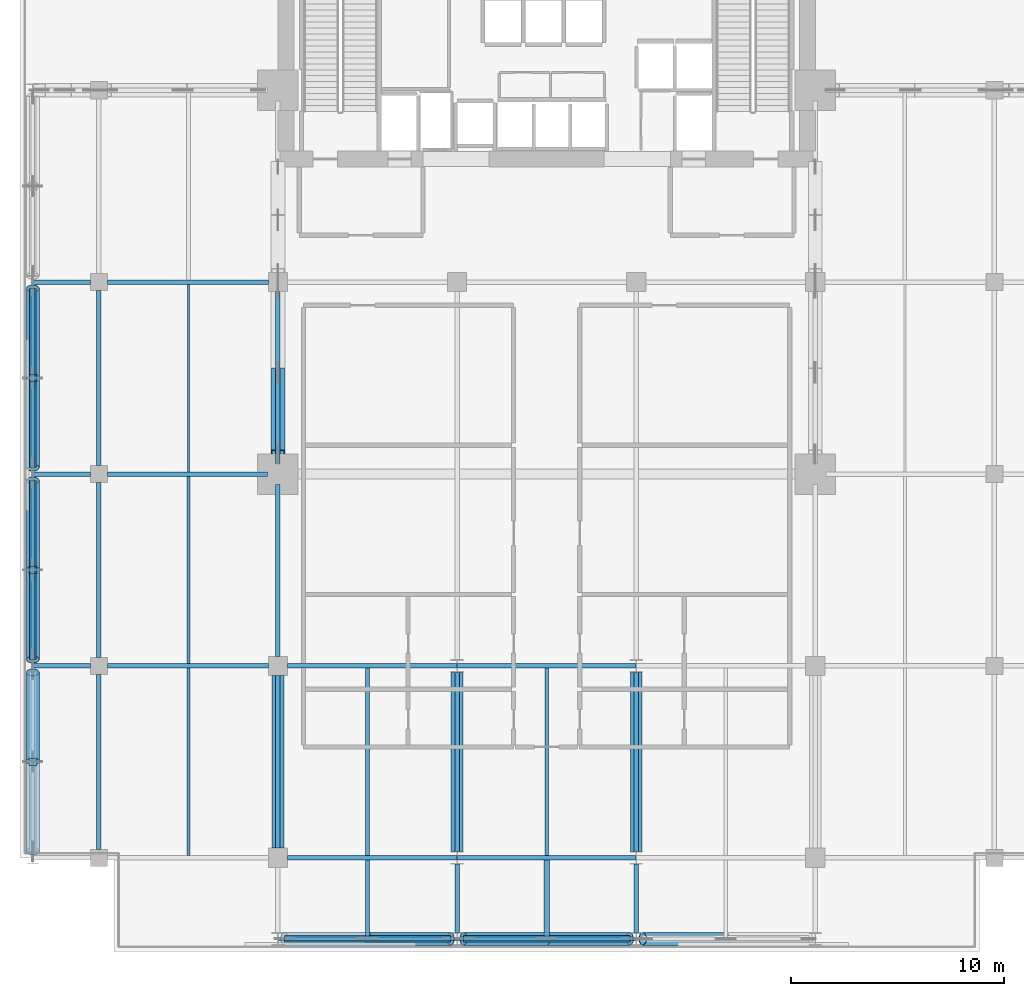
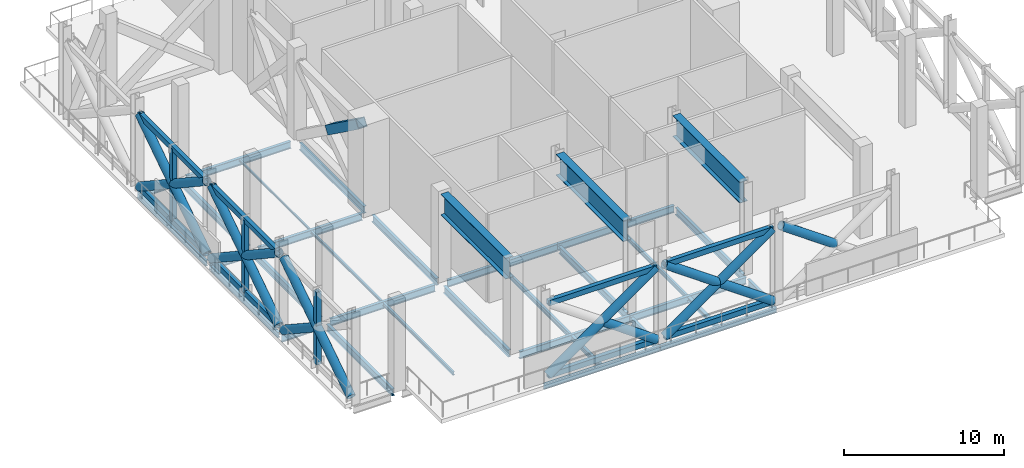
# One storey, part 2 of 14: 34 beams, 26 members.
"""IFC4 building model written with IfcOpenShell, lengths in metres."""

from ifc_helpers import new_model, si_unit, direction, frame, origin, origin_2d, place, context, subcontext, project, spatial, hollow_rectangle, hollow_circle, i_section, extrude, material, material_profile, profile_set, type_object, element, save


model = new_model("IFC4")

# Units and contexts
model_context = context("Model", 3, precision=1e-05, world=origin(), true_north=direction((0.0, 1.0)))
body_context = subcontext(model_context, "Body", "Model", "MODEL_VIEW")
ifc_project = project(units=[si_unit("LENGTHUNIT", "METRE"), si_unit("AREAUNIT", "SQUARE_METRE"), si_unit("VOLUMEUNIT", "CUBIC_METRE"), si_unit("PLANEANGLEUNIT", "RADIAN"), si_unit("MASSUNIT", "GRAM", prefix="KILO")], contexts=[model_context])

# Site, building, storey
site_placement = place(None, origin())
site = spatial("IfcSite", under=ifc_project, at=site_placement, CompositionType="ELEMENT")
building_placement = place(site_placement, origin())
building = spatial("IfcBuilding", under=site, at=building_placement, Name="Maruvema Waterfront Hotel and Observation Tower", CompositionType="ELEMENT")
storey_placement = place(building_placement, frame((0.0, 0.0, 227.5)))
storey = spatial("IfcBuildingStorey", under=building, at=storey_placement, Name="L56", CompositionType="ELEMENT", Elevation=227.5)

# Members
ifc_material_1 = material(Name="Steel ABNT NBR 7007 AR 415 (ASTM A572 Grade 50)", Category="steel")
ifc_material_profile_1 = material_profile(ifc_material_1, hollow_rectangle(XDim=0.64990234375, YDim=0.64990234375, WallThickness=0.035888671875, at=origin_2d()), Name="SHS650x650x36.0")
ifc_profile_set_1 = profile_set([ifc_material_profile_1], Name="Steel ABNT NBR 7007 AR 415 (ASTM A572 Grade 50)")
member_type_1 = type_object("IfcMemberType", Name="Outrigger Truss Diagonal SHS650x650x36.0", PredefinedType="BRACE", material=ifc_profile_set_1)
member_1_placement = place(storey_placement, frame((25.199951171875, 31.748779296875, 3.026611328125), z_axis=(0.0, -0.811146629148, 0.584842838737), x_axis=(1.0, 0.0, 0.0)))
element("IfcMember", 1, at=member_1_placement, inside=storey, type_object=member_type_1, Name="L56 Outrigger Truss Diagonal W1 Split Upper B2", PredefinedType="BRACE", context=body_context, shape_type="SweptSolid", body=[
    extrude(hollow_rectangle(XDim=0.64990234375, YDim=0.64990234375, WallThickness=0.035888671875, at=origin_2d()), origin(), (0.0, 0.0, 1.0), 4.7080078125),
])
ifc_material_2 = material(Name="Steel ABNT NBR 7007 AR 415 (ASTM A572 Grade 50)", Category="steel")
ifc_material_profile_2 = material_profile(ifc_material_2, hollow_rectangle(XDim=0.300048828125, YDim=0.39990234375, WallThickness=0.02001953125, at=origin_2d()), Name="RHS400x300x20.0")
ifc_profile_set_2 = profile_set([ifc_material_profile_2], Name="Steel ABNT NBR 7007 AR 415 (ASTM A572 Grade 50)")
member_type_2 = type_object("IfcMemberType", Name="Perimeter Belt Truss Chord RHS400x300x20.0", PredefinedType="CHORD", material=ifc_profile_set_2)
for number, where, z_axis, x_axis, name in (
    (2, (13.699951171875, 18.300048828125, 0.25), (0.0, 1.0, 0.0), (-1.0, 0.0, 0.0), "L56 Perimeter Belt Truss Chord W2"),
    (3, (13.699951171875, 18.300048828125, 5.780029296875), (0.0, 1.0, 0.0), (-1.0, 0.0, 0.0), "L56 Perimeter Belt Truss Top Chord W2"),
    (4, (13.699951171875, 27.300048828125, 0.25), (0.0, 1.0, 0.0), (-1.0, 0.0, 0.0), "L56 Perimeter Belt Truss Chord W3"),
    (5, (13.699951171875, 27.300048828125, 5.780029296875), (0.0, 1.0, 0.0), (-1.0, 0.0, 0.0), "L56 Perimeter Belt Truss Top Chord W3"),
):
    element("IfcMember", number, at=place(storey_placement, frame(where, z_axis=z_axis, x_axis=x_axis)), inside=storey, type_object=member_type_2, Name=name, PredefinedType="CHORD", context=body_context, shape_type="SweptSolid", body=[
        extrude(hollow_rectangle(XDim=0.300048828125, YDim=0.39990234375, WallThickness=0.02001953125, at=origin_2d()), origin(), (0.0, 0.0, 1.0), 8.39990234375),
    ])
for number, where, z_axis, x_axis, name in (
    (6, (25.5, 5.199951171875, 0.25), (1.0, 0.0, 0.0), (0.0, 1.0, 0.0), "L56 South Perimeter Belt Truss Chord 1"),
    (7, (25.5, 5.199951171875, 5.780029296875), (1.0, 0.0, 0.0), (0.0, 1.0, 0.0), "L56 South Perimeter Belt Truss Top Chord 1"),
    (8, (33.89990234375, 5.199951171875, 0.25), (1.0, 0.0, 0.0), (0.0, 1.0, 0.0), "L56 South Perimeter Belt Truss Chord 2"),
    (9, (33.89990234375, 5.199951171875, 5.780029296875), (1.0, 0.0, 0.0), (0.0, 1.0, 0.0), "L56 South Perimeter Belt Truss Top Chord 2"),
):
    element("IfcMember", number, at=place(storey_placement, frame(where, z_axis=z_axis, x_axis=x_axis)), inside=storey, type_object=member_type_2, Name=name, PredefinedType="CHORD", context=body_context, shape_type="SweptSolid", body=[
        extrude(hollow_rectangle(XDim=0.300048828125, YDim=0.39990234375, WallThickness=0.02001953125, at=origin_2d()), origin(), (0.0, 0.0, 1.0), 7.800048828125),
    ])
ifc_material_3 = material(Name="Steel ABNT NBR 7007 AR 350 (ASTM A572 Grade 50)", Category="steel")
ifc_material_profile_3 = material_profile(ifc_material_3, hollow_circle(Radius=0.304931640625, WallThickness=0.02490234375, at=origin_2d()), Name="CHS610.0x25.0")
ifc_profile_set_3 = profile_set([ifc_material_profile_3], Name="Steel ABNT NBR 7007 AR 350 (ASTM A572 Grade 50)")
member_type_3 = type_object("IfcMemberType", Name="Perimeter Belt Truss Diagonal CHS610.0x25.0", PredefinedType="BRACE", material=ifc_profile_set_3)
member_2_placement = place(storey_placement, frame((13.699951171875, 9.300048828125, 0.25), z_axis=(0.0, 0.835244562072, 0.549878642547), x_axis=(-1.0, 0.0, 0.0)))
element("IfcMember", 10, at=member_2_placement, inside=storey, type_object=member_type_3, Name="L56 Perimeter Belt Truss Diagonal W1 Continuous A", PredefinedType="BRACE", context=body_context, shape_type="SweptSolid", body=[
    extrude(hollow_circle(Radius=0.304931640625, WallThickness=0.02490234375, at=origin_2d()), origin(), (0.0, 0.0, 1.0), 10.056884765625),
])
member_3_placement = place(storey_placement, frame((13.699951171875, 17.699951171875, 0.25), z_axis=(0.0, -0.835260962729, 0.549853729769), x_axis=(1.0, 0.0, 0.0)))
element("IfcMember", 11, at=member_3_placement, inside=storey, type_object=member_type_3, Name="L56 Perimeter Belt Truss Diagonal W1 Split Lower B1", PredefinedType="BRACE", context=body_context, shape_type="SweptSolid", body=[
    extrude(hollow_circle(Radius=0.304931640625, WallThickness=0.02490234375, at=origin_2d()), origin(), (0.0, 0.0, 1.0), 5.008544921875),
])
member_4_placement = place(storey_placement, frame((13.699951171875, 18.300048828125, 0.25), z_axis=(0.0, 0.835244562072, 0.549878642547), x_axis=(-1.0, 0.0, 0.0)))
element("IfcMember", 12, at=member_4_placement, inside=storey, type_object=member_type_3, Name="L56 Perimeter Belt Truss Diagonal W2 Continuous A", PredefinedType="BRACE", context=body_context, shape_type="SweptSolid", body=[
    extrude(hollow_circle(Radius=0.304931640625, WallThickness=0.02490234375, at=origin_2d()), origin(), (0.0, 0.0, 1.0), 10.056884765625),
])
for number, where, z_axis, x_axis, name in (
    (13, (13.699951171875, 26.699951171875, 0.25), (0.0, -0.835260962729, 0.549853729769), (1.0, 0.0, 0.0), "L56 Perimeter Belt Truss Diagonal W2 Split Lower B1"),
    (14, (13.699951171875, 22.4833984375, 3.02587890625), (0.0, -0.835238575042, 0.549887736507), (1.0, 0.0, 0.0), "L56 Perimeter Belt Truss Diagonal W2 Split Upper B2"),
):
    element("IfcMember", number, at=place(storey_placement, frame(where, z_axis=z_axis, x_axis=x_axis)), inside=storey, type_object=member_type_3, Name=name, PredefinedType="BRACE", context=body_context, shape_type="SweptSolid", body=[
        extrude(hollow_circle(Radius=0.304931640625, WallThickness=0.02490234375, at=origin_2d()), origin(), (0.0, 0.0, 1.0), 5.008544921875),
    ])
member_5_placement = place(storey_placement, frame((13.699951171875, 27.300048828125, 0.25), z_axis=(0.0, 0.835244562072, 0.549878642547), x_axis=(-1.0, 0.0, 0.0)))
element("IfcMember", 15, at=member_5_placement, inside=storey, type_object=member_type_3, Name="L56 Perimeter Belt Truss Diagonal W3 Continuous A", PredefinedType="BRACE", context=body_context, shape_type="SweptSolid", body=[
    extrude(hollow_circle(Radius=0.304931640625, WallThickness=0.02490234375, at=origin_2d()), origin(), (0.0, 0.0, 1.0), 10.056884765625),
])
for number, where, z_axis, x_axis, name in (
    (16, (13.699951171875, 35.699951171875, 0.25), (0.0, -0.835260962729, 0.549853729769), (1.0, 0.0, 0.0), "L56 Perimeter Belt Truss Diagonal W3 Split Lower B1"),
    (17, (13.699951171875, 31.4833984375, 3.02587890625), (0.0, -0.835238575042, 0.549887736507), (1.0, 0.0, 0.0), "L56 Perimeter Belt Truss Diagonal W3 Split Upper B2"),
):
    element("IfcMember", number, at=place(storey_placement, frame(where, z_axis=z_axis, x_axis=x_axis)), inside=storey, type_object=member_type_3, Name=name, PredefinedType="BRACE", context=body_context, shape_type="SweptSolid", body=[
        extrude(hollow_circle(Radius=0.304931640625, WallThickness=0.02490234375, at=origin_2d()), origin(), (0.0, 0.0, 1.0), 5.008544921875),
    ])
member_6_placement = place(storey_placement, frame((25.5, 5.199951171875, 0.25), z_axis=(0.815778013583, 0.0, 0.578365137741), x_axis=(0.0, 1.0, 0.0)))
element("IfcMember", 18, at=member_6_placement, inside=storey, type_object=member_type_3, Name="L56 South Perimeter Belt Truss Diagonal 1 Continuous A", PredefinedType="BRACE", context=body_context, shape_type="SweptSolid", body=[
    extrude(hollow_circle(Radius=0.304931640625, WallThickness=0.02490234375, at=origin_2d()), origin(), (0.0, 0.0, 1.0), 9.5615234375),
])
member_7_placement = place(storey_placement, frame((33.300048828125, 5.199951171875, 0.25), z_axis=(-0.815786560576, 0.0, 0.578353082108), x_axis=(0.0, -1.0, 0.0)))
element("IfcMember", 19, at=member_7_placement, inside=storey, type_object=member_type_3, Name="L56 South Perimeter Belt Truss Diagonal 1 Split Lower B1", PredefinedType="BRACE", context=body_context, shape_type="SweptSolid", body=[
    extrude(hollow_circle(Radius=0.304931640625, WallThickness=0.02490234375, at=origin_2d()), origin(), (0.0, 0.0, 1.0), 4.7607421875),
])
member_8_placement = place(storey_placement, frame((33.89990234375, 5.199951171875, 0.25), z_axis=(0.815778013583, 0.0, 0.578365137741), x_axis=(0.0, 1.0, 0.0)))
element("IfcMember", 20, at=member_8_placement, inside=storey, type_object=member_type_3, Name="L56 South Perimeter Belt Truss Diagonal 2 Continuous A", PredefinedType="BRACE", context=body_context, shape_type="SweptSolid", body=[
    extrude(hollow_circle(Radius=0.304931640625, WallThickness=0.02490234375, at=origin_2d()), origin(), (0.0, 0.0, 1.0), 9.5615234375),
])
member_9_placement = place(storey_placement, frame((41.699951171875, 5.199951171875, 0.25), z_axis=(-0.815769406223, 0.0, 0.578377278141), x_axis=(0.0, -1.0, 0.0)))
element("IfcMember", 21, at=member_9_placement, inside=storey, type_object=member_type_3, Name="L56 South Perimeter Belt Truss Diagonal 2 Split Lower B1", PredefinedType="BRACE", context=body_context, shape_type="SweptSolid", body=[
    extrude(hollow_circle(Radius=0.304931640625, WallThickness=0.02490234375, at=origin_2d()), origin(), (0.0, 0.0, 1.0), 4.760498046875),
])
member_10_placement = place(storey_placement, frame((37.78369140625, 5.199951171875, 3.026611328125), z_axis=(-0.815786560576, 0.0, 0.578353082108), x_axis=(0.0, -1.0, 0.0)))
element("IfcMember", 22, at=member_10_placement, inside=storey, type_object=member_type_3, Name="L56 South Perimeter Belt Truss Diagonal 2 Split Upper B2", PredefinedType="BRACE", context=body_context, shape_type="SweptSolid", body=[
    extrude(hollow_circle(Radius=0.304931640625, WallThickness=0.02490234375, at=origin_2d()), origin(), (0.0, 0.0, 1.0), 4.7607421875),
])
member_11_placement = place(storey_placement, frame((46.18359375, 5.199951171875, 3.026611328125), z_axis=(-0.815769406223, 0.0, 0.578377278141), x_axis=(0.0, -1.0, 0.0)))
element("IfcMember", 23, at=member_11_placement, inside=storey, type_object=member_type_3, Name="L56 South Perimeter Belt Truss Diagonal 3 Split Upper B2", PredefinedType="BRACE", context=body_context, shape_type="SweptSolid", body=[
    extrude(hollow_circle(Radius=0.304931640625, WallThickness=0.02490234375, at=origin_2d()), origin(), (0.0, 0.0, 1.0), 4.760498046875),
])
ifc_material_4 = material(Name="Steel ABNT NBR 7007 AR 415 (ASTM A572 Grade 50)", Category="steel")
ifc_material_profile_4 = material_profile(ifc_material_4, hollow_rectangle(XDim=0.35009765625, YDim=0.35009765625, WallThickness=0.02001953125, at=origin_2d()), Name="SHS350x350x20.0")
ifc_profile_set_4 = profile_set([ifc_material_profile_4], Name="Steel ABNT NBR 7007 AR 415 (ASTM A572 Grade 50)")
member_type_4 = type_object("IfcMemberType", Name="Perimeter Belt Truss Post SHS350x350x20.0", PredefinedType="POST", material=ifc_profile_set_4)
for number, where, z_axis, x_axis, name in (
    (24, (13.699951171875, 13.5, 0.25), (0.0, 0.0, 1.0), (1.0, 0.0, 0.0), "L56 Perimeter Belt Truss Post W1"),
    (25, (13.699951171875, 22.5, 0.25), (0.0, 0.0, 1.0), (1.0, 0.0, 0.0), "L56 Perimeter Belt Truss Post W2"),
    (26, (13.699951171875, 31.5, 0.25), (0.0, 0.0, 1.0), (1.0, 0.0, 0.0), "L56 Perimeter Belt Truss Post W3"),
):
    element("IfcMember", number, at=place(storey_placement, frame(where, z_axis=z_axis, x_axis=x_axis)), inside=storey, type_object=member_type_4, Name=name, PredefinedType="POST", context=body_context, shape_type="SweptSolid", body=[
        extrude(hollow_rectangle(XDim=0.35009765625, YDim=0.35009765625, WallThickness=0.02001953125, at=origin_2d()), origin(), (0.0, 0.0, 1.0), 5.530029296875),
    ])

# Beams
ifc_material_5 = material(Name="Steel ASTM A572 Grade 50", Category="steel")
ifc_material_profile_5 = material_profile(ifc_material_5, i_section(OverallWidth=0.178955078125, OverallDepth=0.409912109375, WebThickness=0.0087890625, FlangeThickness=0.014404296875, FilletRadius=0.014892578125, at=origin_2d()), Name="W410x67.0")
ifc_profile_set_5 = profile_set([ifc_material_profile_5], Name="Steel ASTM A572 Grade 50")
beam_type_1 = type_object("IfcBeamType", Name="Perimeter Spandrel Beam W410x67.0", PredefinedType="SPANDREL", material=ifc_profile_set_5)
for number, where, z_axis, x_axis, name in (
    (27, (25.21240234375, 5.199951171875, -0.5048828125), (1.0, 0.0, 0.0), (0.0, 1.0, 0.0), "L56 Floor Girder EW-01"),
    (28, (33.612548828125, 5.199951171875, -0.5048828125), (1.0, 0.0, 0.0), (0.0, 1.0, 0.0), "L56 Floor Girder EW-02"),
):
    element("IfcBeam", number, at=place(storey_placement, frame(where, z_axis=z_axis, x_axis=x_axis)), inside=storey, type_object=beam_type_1, Name=name, PredefinedType="SPANDREL", context=body_context, shape_type="SweptSolid", body=[
        extrude(i_section(OverallWidth=0.178955078125, OverallDepth=0.409912109375, WebThickness=0.0087890625, FlangeThickness=0.014404296875, FilletRadius=0.014892578125, at=origin_2d()), origin(), (0.0, 0.0, 1.0), 8.375),
    ])
for number, where, z_axis, x_axis, name in (
    (29, (13.699951171875, 18.300048828125, -0.5048828125), (0.0, 1.0, 0.0), (-1.0, 0.0, 0.0), "L56 Floor Girder NS-02"),
    (30, (13.699951171875, 27.300048828125, -0.5048828125), (0.0, 1.0, 0.0), (-1.0, 0.0, 0.0), "L56 Floor Girder NS-03"),
):
    element("IfcBeam", number, at=place(storey_placement, frame(where, z_axis=z_axis, x_axis=x_axis)), inside=storey, type_object=beam_type_1, Name=name, PredefinedType="SPANDREL", context=body_context, shape_type="SweptSolid", body=[
        extrude(i_section(OverallWidth=0.178955078125, OverallDepth=0.409912109375, WebThickness=0.0087890625, FlangeThickness=0.014404296875, FilletRadius=0.014892578125, at=origin_2d()), origin(), (0.0, 0.0, 1.0), 8.39990234375),
    ])
ifc_material_6 = material(Name="Steel ASTM A572 Grade 50", Category="steel")
ifc_material_profile_6 = material_profile(ifc_material_6, i_section(OverallWidth=0.2109375, OverallDepth=0.5390625, WebThickness=0.01171875, FlangeThickness=0.018798828125, FilletRadius=0.014892578125, at=origin_2d()), Name="W530x109.0")
ifc_profile_set_6 = profile_set([ifc_material_profile_6], Name="Steel ASTM A572 Grade 50")
beam_type_2 = type_object("IfcBeamType", Name="Primary Floor Girder W530x109.0", PredefinedType="BEAM", material=ifc_profile_set_6)
beam_1_placement = place(storey_placement, frame((25.64990234375, 9.0, -0.569580078125), z_axis=(1.0, 0.0, 0.0), x_axis=(0.0, 1.0, 0.0)))
element("IfcBeam", 31, at=beam_1_placement, inside=storey, type_object=beam_type_2, Name="L56 Floor Girder EW-06", PredefinedType="BEAM", context=body_context, shape_type="SweptSolid", body=[
    extrude(i_section(OverallWidth=0.2109375, OverallDepth=0.5390625, WebThickness=0.01171875, FlangeThickness=0.018798828125, FilletRadius=0.014892578125, at=origin_2d()), origin(), (0.0, 0.0, 1.0), 7.9375),
])
beam_2_placement = place(storey_placement, frame((33.612548828125, 9.0, -0.569580078125), z_axis=(1.0, 0.0, 0.0), x_axis=(0.0, 1.0, 0.0)))
element("IfcBeam", 32, at=beam_2_placement, inside=storey, type_object=beam_type_2, Name="L56 Floor Girder EW-07", PredefinedType="BEAM", context=body_context, shape_type="SweptSolid", body=[
    extrude(i_section(OverallWidth=0.2109375, OverallDepth=0.5390625, WebThickness=0.01171875, FlangeThickness=0.018798828125, FilletRadius=0.014892578125, at=origin_2d()), origin(), (0.0, 0.0, 1.0), 8.375),
])
beam_3_placement = place(storey_placement, frame((13.71240234375, 18.0, -0.569580078125), z_axis=(1.0, 0.0, 0.0), x_axis=(0.0, 1.0, 0.0)))
element("IfcBeam", 33, at=beam_3_placement, inside=storey, type_object=beam_type_2, Name="L56 Floor Girder EW-11", PredefinedType="BEAM", context=body_context, shape_type="SweptSolid", body=[
    extrude(i_section(OverallWidth=0.2109375, OverallDepth=0.5390625, WebThickness=0.01171875, FlangeThickness=0.018798828125, FilletRadius=0.014892578125, at=origin_2d()), origin(), (0.0, 0.0, 1.0), 2.6875),
])
beam_4_placement = place(storey_placement, frame((17.199951171875, 18.0, -0.569580078125), z_axis=(1.0, 0.0, 0.0), x_axis=(0.0, 1.0, 0.0)))
element("IfcBeam", 34, at=beam_4_placement, inside=storey, type_object=beam_type_2, Name="L56 Floor Girder EW-12", PredefinedType="BEAM", context=body_context, shape_type="SweptSolid", body=[
    extrude(i_section(OverallWidth=0.2109375, OverallDepth=0.5390625, WebThickness=0.01171875, FlangeThickness=0.018798828125, FilletRadius=0.014892578125, at=origin_2d()), origin(), (0.0, 0.0, 1.0), 7.550048828125),
])
beam_5_placement = place(storey_placement, frame((25.64990234375, 18.0, -0.569580078125), z_axis=(1.0, 0.0, 0.0), x_axis=(0.0, 1.0, 0.0)))
element("IfcBeam", 35, at=beam_5_placement, inside=storey, type_object=beam_type_2, Name="L56 Floor Girder EW-13", PredefinedType="BEAM", context=body_context, shape_type="SweptSolid", body=[
    extrude(i_section(OverallWidth=0.2109375, OverallDepth=0.5390625, WebThickness=0.01171875, FlangeThickness=0.018798828125, FilletRadius=0.014892578125, at=origin_2d()), origin(), (0.0, 0.0, 1.0), 7.9375),
])
beam_6_placement = place(storey_placement, frame((33.612548828125, 18.0, -0.569580078125), z_axis=(1.0, 0.0, 0.0), x_axis=(0.0, 1.0, 0.0)))
element("IfcBeam", 36, at=beam_6_placement, inside=storey, type_object=beam_type_2, Name="L56 Floor Girder EW-14", PredefinedType="BEAM", context=body_context, shape_type="SweptSolid", body=[
    extrude(i_section(OverallWidth=0.2109375, OverallDepth=0.5390625, WebThickness=0.01171875, FlangeThickness=0.018798828125, FilletRadius=0.014892578125, at=origin_2d()), origin(), (0.0, 0.0, 1.0), 8.375),
])
beam_7_placement = place(storey_placement, frame((13.71240234375, 27.0, -0.569580078125), z_axis=(1.0, 0.0, 0.0), x_axis=(0.0, 1.0, 0.0)))
element("IfcBeam", 37, at=beam_7_placement, inside=storey, type_object=beam_type_2, Name="L56 Floor Girder EW-18", PredefinedType="BEAM", context=body_context, shape_type="SweptSolid", body=[
    extrude(i_section(OverallWidth=0.2109375, OverallDepth=0.5390625, WebThickness=0.01171875, FlangeThickness=0.018798828125, FilletRadius=0.014892578125, at=origin_2d()), origin(), (0.0, 0.0, 1.0), 2.6875),
])
beam_8_placement = place(storey_placement, frame((17.199951171875, 27.0, -0.569580078125), z_axis=(1.0, 0.0, 0.0), x_axis=(0.0, 1.0, 0.0)))
element("IfcBeam", 38, at=beam_8_placement, inside=storey, type_object=beam_type_2, Name="L56 Floor Girder EW-19", PredefinedType="BEAM", context=body_context, shape_type="SweptSolid", body=[
    extrude(i_section(OverallWidth=0.2109375, OverallDepth=0.5390625, WebThickness=0.01171875, FlangeThickness=0.018798828125, FilletRadius=0.014892578125, at=origin_2d()), origin(), (0.0, 0.0, 1.0), 7.5),
])
beam_9_placement = place(storey_placement, frame((13.71240234375, 36.0, -0.569580078125), z_axis=(1.0, 0.0, 0.0), x_axis=(0.0, 1.0, 0.0)))
element("IfcBeam", 39, at=beam_9_placement, inside=storey, type_object=beam_type_2, Name="L56 Floor Girder EW-23", PredefinedType="BEAM", context=body_context, shape_type="SweptSolid", body=[
    extrude(i_section(OverallWidth=0.2109375, OverallDepth=0.5390625, WebThickness=0.01171875, FlangeThickness=0.018798828125, FilletRadius=0.014892578125, at=origin_2d()), origin(), (0.0, 0.0, 1.0), 2.6875),
])
beam_10_placement = place(storey_placement, frame((17.199951171875, 36.0, -0.569580078125), z_axis=(1.0, 0.0, 0.0), x_axis=(0.0, 1.0, 0.0)))
element("IfcBeam", 40, at=beam_10_placement, inside=storey, type_object=beam_type_2, Name="L56 Floor Girder EW-24", PredefinedType="BEAM", context=body_context, shape_type="SweptSolid", body=[
    extrude(i_section(OverallWidth=0.2109375, OverallDepth=0.5390625, WebThickness=0.01171875, FlangeThickness=0.018798828125, FilletRadius=0.014892578125, at=origin_2d()), origin(), (0.0, 0.0, 1.0), 7.550048828125),
])
for number, where, z_axis, x_axis, name in (
    (41, (16.800048828125, 9.39990234375, -0.569580078125), (0.0, 1.0, 0.0), (-1.0, 0.0, 0.0), "L56 Floor Girder NS-05"),
    (42, (16.800048828125, 18.39990234375, -0.569580078125), (0.0, 1.0, 0.0), (-1.0, 0.0, 0.0), "L56 Floor Girder NS-06"),
    (43, (16.800048828125, 27.39990234375, -0.569580078125), (0.0, 1.0, 0.0), (-1.0, 0.0, 0.0), "L56 Floor Girder NS-07"),
):
    element("IfcBeam", number, at=place(storey_placement, frame(where, z_axis=z_axis, x_axis=x_axis)), inside=storey, type_object=beam_type_2, Name=name, PredefinedType="BEAM", context=body_context, shape_type="SweptSolid", body=[
        extrude(i_section(OverallWidth=0.2109375, OverallDepth=0.5390625, WebThickness=0.01171875, FlangeThickness=0.018798828125, FilletRadius=0.014892578125, at=origin_2d()), origin(), (0.0, 0.0, 1.0), 8.2001953125),
    ])
beam_11_placement = place(storey_placement, frame((25.199951171875, 9.449951171875, -0.569580078125), z_axis=(0.0, 1.0, 0.0), x_axis=(-1.0, 0.0, 0.0)))
element("IfcBeam", 44, at=beam_11_placement, inside=storey, type_object=beam_type_2, Name="L56 Floor Girder NS-10", PredefinedType="BEAM", context=body_context, shape_type="SweptSolid", body=[
    extrude(i_section(OverallWidth=0.2109375, OverallDepth=0.5390625, WebThickness=0.01171875, FlangeThickness=0.018798828125, FilletRadius=0.014892578125, at=origin_2d()), origin(), (0.0, 0.0, 1.0), 8.10009765625),
])
for number, where, z_axis, x_axis, name in (
    (45, (25.199951171875, 18.449951171875, -0.569580078125), (0.0, 1.0, 0.0), (-1.0, 0.0, 0.0), "L56 Floor Girder NS-11"),
    (46, (25.199951171875, 27.5, -0.569580078125), (0.0, 1.0, 0.0), (-1.0, 0.0, 0.0), "L56 Floor Girder NS-12"),
):
    element("IfcBeam", number, at=place(storey_placement, frame(where, z_axis=z_axis, x_axis=x_axis)), inside=storey, type_object=beam_type_2, Name=name, PredefinedType="BEAM", context=body_context, shape_type="SweptSolid", body=[
        extrude(i_section(OverallWidth=0.2109375, OverallDepth=0.5390625, WebThickness=0.01171875, FlangeThickness=0.018798828125, FilletRadius=0.014892578125, at=origin_2d()), origin(), (0.0, 0.0, 1.0), 8.050048828125),
    ])
beam_12_placement = place(storey_placement, frame((33.60009765625, 5.5, -0.569580078125), z_axis=(0.0, 1.0, 0.0), x_axis=(-1.0, 0.0, 0.0)))
element("IfcBeam", 47, at=beam_12_placement, inside=storey, type_object=beam_type_2, Name="L56 Floor Girder NS-14", PredefinedType="BEAM", context=body_context, shape_type="SweptSolid", body=[
    extrude(i_section(OverallWidth=0.2109375, OverallDepth=0.5390625, WebThickness=0.01171875, FlangeThickness=0.018798828125, FilletRadius=0.014892578125, at=origin_2d()), origin(), (0.0, 0.0, 1.0), 3.199951171875),
])
beam_13_placement = place(storey_placement, frame((33.60009765625, 9.300048828125, -0.569580078125), z_axis=(0.0, 1.0, 0.0), x_axis=(-1.0, 0.0, 0.0)))
element("IfcBeam", 48, at=beam_13_placement, inside=storey, type_object=beam_type_2, Name="L56 Floor Girder NS-15", PredefinedType="BEAM", context=body_context, shape_type="SweptSolid", body=[
    extrude(i_section(OverallWidth=0.2109375, OverallDepth=0.5390625, WebThickness=0.01171875, FlangeThickness=0.018798828125, FilletRadius=0.014892578125, at=origin_2d()), origin(), (0.0, 0.0, 1.0), 8.39990234375),
])
beam_14_placement = place(storey_placement, frame((42.0, 5.5, -0.569580078125), z_axis=(0.0, 1.0, 0.0), x_axis=(-1.0, 0.0, 0.0)))
element("IfcBeam", 49, at=beam_14_placement, inside=storey, type_object=beam_type_2, Name="L56 Floor Girder NS-17", PredefinedType="BEAM", context=body_context, shape_type="SweptSolid", body=[
    extrude(i_section(OverallWidth=0.2109375, OverallDepth=0.5390625, WebThickness=0.01171875, FlangeThickness=0.018798828125, FilletRadius=0.014892578125, at=origin_2d()), origin(), (0.0, 0.0, 1.0), 3.199951171875),
])
beam_15_placement = place(storey_placement, frame((42.0, 9.300048828125, -0.569580078125), z_axis=(0.0, 1.0, 0.0), x_axis=(-1.0, 0.0, 0.0)))
element("IfcBeam", 50, at=beam_15_placement, inside=storey, type_object=beam_type_2, Name="L56 Floor Girder NS-18", PredefinedType="BEAM", context=body_context, shape_type="SweptSolid", body=[
    extrude(i_section(OverallWidth=0.2109375, OverallDepth=0.5390625, WebThickness=0.01171875, FlangeThickness=0.018798828125, FilletRadius=0.014892578125, at=origin_2d()), origin(), (0.0, 0.0, 1.0), 8.39990234375),
])
ifc_material_7 = material(Name="Steel ASTM A572 Grade 50", Category="steel")
ifc_material_profile_7 = material_profile(ifc_material_7, i_section(OverallWidth=0.10009765625, OverallDepth=0.153076171875, WebThickness=0.005859375, FlangeThickness=0.007080078125, FilletRadius=0.008056640625, at=origin_2d()), Name="W150x18.0")
ifc_profile_set_7 = profile_set([ifc_material_profile_7], Name="Steel ASTM A572 Grade 50")
beam_type_3 = type_object("IfcBeamType", Name="Secondary Floor Joist W150x18.0", PredefinedType="JOIST", material=ifc_profile_set_7)
beam_16_placement = place(storey_placement, frame((21.0, 27.10546875, -0.37646484375), z_axis=(0.0, 1.0, 0.0), x_axis=(-1.0, 0.0, 0.0)))
element("IfcBeam", 51, at=beam_16_placement, inside=storey, type_object=beam_type_3, Name="L56 Secondary Floor Joist JS-03", PredefinedType="JOIST", context=body_context, shape_type="SweptSolid", body=[
    extrude(i_section(OverallWidth=0.10009765625, OverallDepth=0.153076171875, WebThickness=0.005859375, FlangeThickness=0.007080078125, FilletRadius=0.008056640625, at=origin_2d()), origin(), (0.0, 0.0, 1.0), 8.7890625),
])
ifc_material_8 = material(Name="Steel ASTM A572 Grade 50", Category="steel")
ifc_material_profile_8 = material_profile(ifc_material_8, i_section(OverallWidth=0.133056640625, OverallDepth=0.20703125, WebThickness=0.005859375, FlangeThickness=0.00830078125, FilletRadius=0.010009765625, at=origin_2d()), Name="W200x26.6")
ifc_profile_set_8 = profile_set([ifc_material_profile_8], Name="Steel ASTM A572 Grade 50")
beam_type_4 = type_object("IfcBeamType", Name="Secondary Floor Joist W200x26.6", PredefinedType="JOIST", material=ifc_profile_set_8)
beam_17_placement = place(storey_placement, frame((21.0, 18.10546875, -0.403564453125), z_axis=(0.0, 1.0, 0.0), x_axis=(-1.0, 0.0, 0.0)))
element("IfcBeam", 52, at=beam_17_placement, inside=storey, type_object=beam_type_4, Name="L56 Secondary Floor Joist JS-02", PredefinedType="JOIST", context=body_context, shape_type="SweptSolid", body=[
    extrude(i_section(OverallWidth=0.133056640625, OverallDepth=0.20703125, WebThickness=0.005859375, FlangeThickness=0.00830078125, FilletRadius=0.010009765625, at=origin_2d()), origin(), (0.0, 0.0, 1.0), 8.7890625),
])
ifc_material_9 = material(Name="Steel ASTM A572 Grade 50", Category="steel")
ifc_material_profile_9 = material_profile(ifc_material_9, i_section(OverallWidth=0.14599609375, OverallDepth=0.258056640625, WebThickness=0.006103515625, FlangeThickness=0.009033203125, FilletRadius=0.012939453125, at=origin_2d()), Name="W250x32.7")
ifc_profile_set_9 = profile_set([ifc_material_profile_9], Name="Steel ASTM A572 Grade 50")
beam_type_5 = type_object("IfcBeamType", Name="Secondary Floor Joist W250x32.7", PredefinedType="JOIST", material=ifc_profile_set_9)
beam_18_placement = place(storey_placement, frame((21.0, 9.10546875, -0.428955078125), z_axis=(0.0, 1.0, 0.0), x_axis=(-1.0, 0.0, 0.0)))
element("IfcBeam", 53, at=beam_18_placement, inside=storey, type_object=beam_type_5, Name="L56 Secondary Floor Joist JS-01", PredefinedType="JOIST", context=body_context, shape_type="SweptSolid", body=[
    extrude(i_section(OverallWidth=0.14599609375, OverallDepth=0.258056640625, WebThickness=0.006103515625, FlangeThickness=0.009033203125, FilletRadius=0.012939453125, at=origin_2d()), origin(), (0.0, 0.0, 1.0), 8.7890625),
])
ifc_material_10 = material(Name="Steel ASTM A572 Grade 50", Category="steel")
ifc_material_profile_10 = material_profile(ifc_material_10, i_section(OverallWidth=0.1669921875, OverallDepth=0.31689453125, WebThickness=0.007568359375, FlangeThickness=0.01318359375, FilletRadius=0.012939453125, at=origin_2d()), Name="W310x52.0")
ifc_profile_set_10 = profile_set([ifc_material_profile_10], Name="Steel ASTM A572 Grade 50")
beam_type_6 = type_object("IfcBeamType", Name="Secondary Floor Joist W310x52.0", PredefinedType="JOIST", material=ifc_profile_set_10)
beam_19_placement = place(storey_placement, frame((37.800048828125, 9.10546875, -0.45849609375), z_axis=(0.0, 1.0, 0.0), x_axis=(-1.0, 0.0, 0.0)))
element("IfcBeam", 54, at=beam_19_placement, inside=storey, type_object=beam_type_6, Name="L56 Secondary Floor Joist JS-08", PredefinedType="JOIST", context=body_context, shape_type="SweptSolid", body=[
    extrude(i_section(OverallWidth=0.1669921875, OverallDepth=0.31689453125, WebThickness=0.007568359375, FlangeThickness=0.01318359375, FilletRadius=0.012939453125, at=origin_2d()), origin(), (0.0, 0.0, 1.0), 8.7890625),
])
ifc_material_11 = material(Name="Steel ASTM A572 Grade 50", Category="steel")
ifc_material_profile_11 = material_profile(ifc_material_11, i_section(OverallWidth=0.25390625, OverallDepth=0.305908203125, WebThickness=0.0087890625, FlangeThickness=0.0146484375, FilletRadius=0.014892578125, at=origin_2d()), Name="W310x79.0")
ifc_profile_set_11 = profile_set([ifc_material_profile_11], Name="Steel ASTM A572 Grade 50")
beam_type_7 = type_object("IfcBeamType", Name="Secondary Floor Joist W310x79.0", PredefinedType="JOIST", material=ifc_profile_set_11)
beam_20_placement = place(storey_placement, frame((37.800048828125, 5.28955078125, -0.452880859375), z_axis=(0.0, 1.0, 0.0), x_axis=(-1.0, 0.0, 0.0)))
element("IfcBeam", 55, at=beam_20_placement, inside=storey, type_object=beam_type_7, Name="L56 Secondary Floor Joist JS-07", PredefinedType="JOIST", context=body_context, shape_type="SweptSolid", body=[
    extrude(i_section(OverallWidth=0.25390625, OverallDepth=0.305908203125, WebThickness=0.0087890625, FlangeThickness=0.0146484375, FilletRadius=0.014892578125, at=origin_2d()), origin(), (0.0, 0.0, 1.0), 3.60498046875),
])
ifc_material_12 = material(Name="Steel ASTM A572 Grade 50", Category="steel")
ifc_material_profile_12 = material_profile(ifc_material_12, i_section(OverallWidth=0.1708984375, OverallDepth=0.35498046875, WebThickness=0.007080078125, FlangeThickness=0.01171875, FilletRadius=0.014892578125, at=origin_2d()), Name="W360x51.0")
ifc_profile_set_12 = profile_set([ifc_material_profile_12], Name="Steel ASTM A572 Grade 50")
beam_type_8 = type_object("IfcBeamType", Name="Secondary Floor Joist W360x51.0", PredefinedType="JOIST", material=ifc_profile_set_12)
beam_21_placement = place(storey_placement, frame((29.39990234375, 9.10546875, -0.4775390625), z_axis=(0.0, 1.0, 0.0), x_axis=(-1.0, 0.0, 0.0)))
element("IfcBeam", 56, at=beam_21_placement, inside=storey, type_object=beam_type_8, Name="L56 Secondary Floor Joist JS-06", PredefinedType="JOIST", context=body_context, shape_type="SweptSolid", body=[
    extrude(i_section(OverallWidth=0.1708984375, OverallDepth=0.35498046875, WebThickness=0.007080078125, FlangeThickness=0.01171875, FilletRadius=0.014892578125, at=origin_2d()), origin(), (0.0, 0.0, 1.0), 8.7890625),
])
ifc_material_13 = material(Name="Steel ASTM A572 Grade 50", Category="steel")
ifc_material_profile_13 = material_profile(ifc_material_13, i_section(OverallWidth=0.202880859375, OverallDepth=0.346923828125, WebThickness=0.0078125, FlangeThickness=0.013427734375, FilletRadius=0.014892578125, at=origin_2d()), Name="W360x64.0")
ifc_profile_set_13 = profile_set([ifc_material_profile_13], Name="Steel ASTM A572 Grade 50")
beam_type_9 = type_object("IfcBeamType", Name="Secondary Floor Joist W360x64.0", PredefinedType="JOIST", material=ifc_profile_set_13)
beam_22_placement = place(storey_placement, frame((29.39990234375, 5.28955078125, -0.473388671875), z_axis=(0.0, 1.0, 0.0), x_axis=(-1.0, 0.0, 0.0)))
element("IfcBeam", 57, at=beam_22_placement, inside=storey, type_object=beam_type_9, Name="L56 Secondary Floor Joist JS-05", PredefinedType="JOIST", context=body_context, shape_type="SweptSolid", body=[
    extrude(i_section(OverallWidth=0.202880859375, OverallDepth=0.346923828125, WebThickness=0.0078125, FlangeThickness=0.013427734375, FilletRadius=0.014892578125, at=origin_2d()), origin(), (0.0, 0.0, 1.0), 3.60498046875),
])
ifc_material_14 = material(Name="Steel ABNT NBR 7007 AR 415 (ASTM A572 Grade 50)", Category="steel")
ifc_material_profile_14 = material_profile(ifc_material_14, i_section(OverallWidth=0.550048828125, OverallDepth=1.60009765625, WebThickness=0.02197265625, FlangeThickness=0.0400390625, at=origin_2d()), Name="VS1600x548")
ifc_profile_set_14 = profile_set([ifc_material_profile_14], Name="Steel ABNT NBR 7007 AR 415 (ASTM A572 Grade 50)")
beam_type_10 = type_object("IfcBeamType", Name="Setback Transfer Girder VS1600x548", PredefinedType="USERDEFINED", material=ifc_profile_set_14)
beam_23_placement = place(storey_placement, frame((25.199951171875, 9.449951171875, 5.9599609375), z_axis=(0.0, 1.0, 0.0), x_axis=(-1.0, 0.0, 0.0)))
element("IfcBeam", 58, at=beam_23_placement, inside=storey, type_object=beam_type_10, Name="L56 South Setback Transfer Girder X=25.2m", ObjectType="TRANSFER GIRDER", PredefinedType="USERDEFINED", context=body_context, shape_type="SweptSolid", body=[
    extrude(i_section(OverallWidth=0.550048828125, OverallDepth=1.60009765625, WebThickness=0.02197265625, FlangeThickness=0.0400390625, at=origin_2d()), origin(), (0.0, 0.0, 1.0), 8.10009765625),
])
for number, where, z_axis, x_axis, name in (
    (59, (33.60009765625, 9.300048828125, 5.9599609375), (0.0, 1.0, 0.0), (-1.0, 0.0, 0.0), "L56 South Setback Transfer Girder X=33.6m"),
    (60, (42.0, 9.300048828125, 5.9599609375), (0.0, 1.0, 0.0), (-1.0, 0.0, 0.0), "L56 South Setback Transfer Girder X=42.0m"),
):
    element("IfcBeam", number, at=place(storey_placement, frame(where, z_axis=z_axis, x_axis=x_axis)), inside=storey, type_object=beam_type_10, Name=name, ObjectType="TRANSFER GIRDER", PredefinedType="USERDEFINED", context=body_context, shape_type="SweptSolid", body=[
        extrude(i_section(OverallWidth=0.550048828125, OverallDepth=1.60009765625, WebThickness=0.02197265625, FlangeThickness=0.0400390625, at=origin_2d()), origin(), (0.0, 0.0, 1.0), 8.39990234375),
    ])

save(model, "model.ifc")
